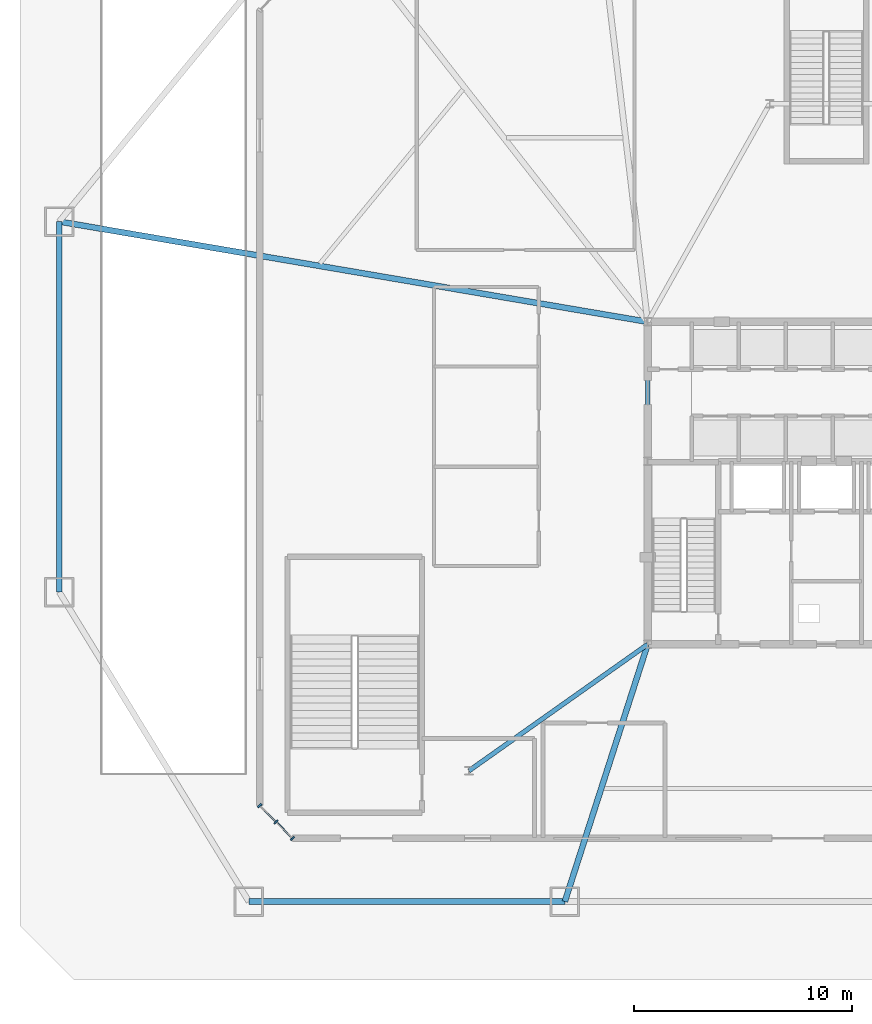
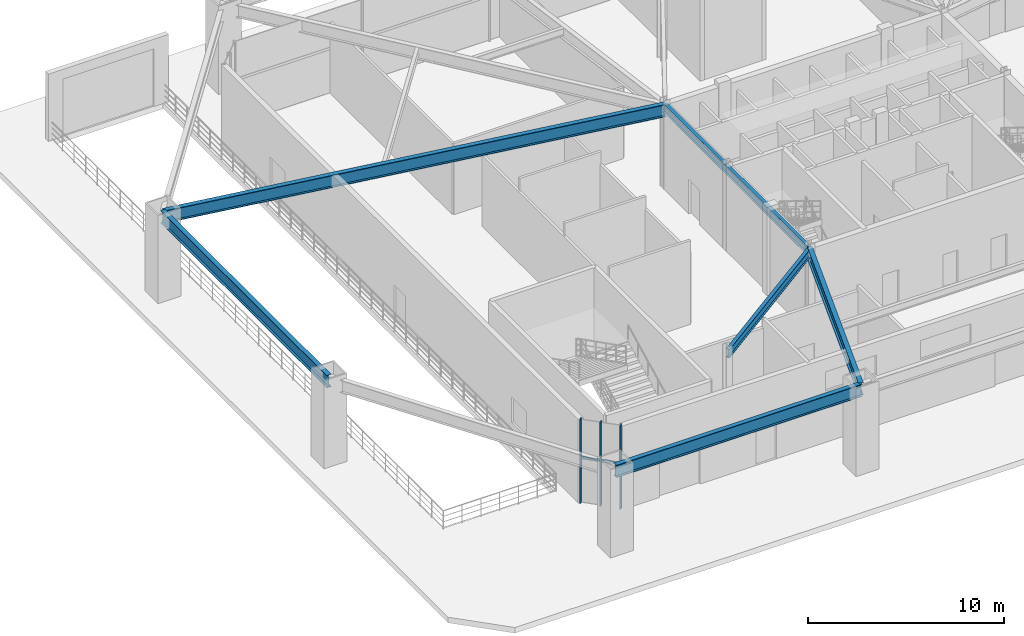
# One storey, part 5 of 20: 6 beams, 4 members, 1 element without a shape of its own.
"""IFC4 building model written with IfcOpenShell, lengths in metres."""

from ifc_helpers import new_model, si_unit, direction, frame, origin, origin_2d, place, context, subcontext, project, spatial, rectangle, i_section, extrude, source, transform, mapped, material, layer, layer_set, material_profile, profile_set, type_object, type_shapes, element, aggregate, save


model = new_model("IFC4")

# Units and contexts
model_context = context("Model", 3, precision=1e-05, world=origin(), true_north=direction((0.0, 1.0)))
body_context = subcontext(model_context, "Body", "Model", "MODEL_VIEW")
ifc_project = project(units=[si_unit("LENGTHUNIT", "METRE"), si_unit("AREAUNIT", "SQUARE_METRE"), si_unit("VOLUMEUNIT", "CUBIC_METRE"), si_unit("PLANEANGLEUNIT", "RADIAN"), si_unit("MASSUNIT", "GRAM", prefix="KILO")], contexts=[model_context])

# Site, building, storey
site_placement = place(None, origin())
site = spatial("IfcSite", under=ifc_project, at=site_placement, CompositionType="ELEMENT")
building_placement = place(site_placement, origin())
building = spatial("IfcBuilding", under=site, at=building_placement, Name="Varakhsha Concourse Tower", CompositionType="ELEMENT")
storey_placement = place(building_placement, origin())
storey = spatial("IfcBuildingStorey", under=building, at=storey_placement, Name="L01", CompositionType="ELEMENT", Elevation=0.0)

# Beams
ifc_material_1 = material(Name="Structural Steel ASTM A992 Grade 50", Category="steel")
ifc_material_profile_1 = material_profile(ifc_material_1, i_section(OverallWidth=0.26611328125, OverallDepth=0.779052734375, WebThickness=0.01708984375, FlangeThickness=0.030029296875, at=origin_2d()), Name="W30X148")
ifc_profile_set_1 = profile_set([ifc_material_profile_1], Name="Structural Steel ASTM A992 Grade 50")
beam_type_1 = type_object("IfcBeamType", Name="BM-BASE-W30X148", PredefinedType="USERDEFINED", material=ifc_profile_set_1)
beam_1_placement = place(storey_placement, frame((13.5, 4.60009765625, 4.83056640625), z_axis=(1.0, 0.0, 0.0), x_axis=(0.0, 1.0, 0.0)))
element("IfcBeam", 1, at=beam_1_placement, inside=storey, type_object=beam_type_1, Name="BM-PRING-L01-01", ObjectType="GIRDER", PredefinedType="USERDEFINED", context=body_context, shape_type="SweptSolid", body=[
    extrude(i_section(OverallWidth=0.26611328125, OverallDepth=0.779052734375, WebThickness=0.01708984375, FlangeThickness=0.030029296875, at=origin_2d()), origin(), (0.0, 0.0, 1.0), 14.5),
])
beam_2_placement = place(storey_placement, frame((4.800048828125, 35.800048828125, 4.83056640625), z_axis=(0.0, -1.0, 0.0), x_axis=(1.0, 0.0, 0.0)))
element("IfcBeam", 2, at=beam_2_placement, inside=storey, type_object=beam_type_1, Name="BM-PRING-L01-11", ObjectType="GIRDER", PredefinedType="USERDEFINED", context=body_context, shape_type="SweptSolid", body=[
    extrude(i_section(OverallWidth=0.26611328125, OverallDepth=0.779052734375, WebThickness=0.01708984375, FlangeThickness=0.030029296875, at=origin_2d()), origin(), (0.0, 0.0, 1.0), 17.0),
])
beam_3_placement = place(storey_placement, frame((31.800048828125, 16.39990234375, 4.83056640625), z_axis=(-0.306539531823, -0.951857928175, 0.0), x_axis=(0.951857928175, -0.306539531823, 0.0)))
element("IfcBeam", 3, at=beam_3_placement, inside=storey, type_object=beam_type_1, Name="BM-PRAD-L01-02", ObjectType="GIRDER", PredefinedType="USERDEFINED", context=body_context, shape_type="SweptSolid", body=[
    extrude(i_section(OverallWidth=0.26611328125, OverallDepth=0.779052734375, WebThickness=0.01708984375, FlangeThickness=0.030029296875, at=origin_2d()), origin(), (0.0, 0.0, 1.0), 12.396484375),
])
beam_4_placement = place(storey_placement, frame((31.800048828125, 31.199951171875, 4.83056640625), z_axis=(-0.985794867271, 0.167953802166, 0.0), x_axis=(-0.167953802166, -0.985794867271, 0.0)))
element("IfcBeam", 4, at=beam_4_placement, inside=storey, type_object=beam_type_1, Name="BM-PRAD-L01-11", ObjectType="GIRDER", PredefinedType="USERDEFINED", context=body_context, shape_type="SweptSolid", body=[
    extrude(i_section(OverallWidth=0.26611328125, OverallDepth=0.779052734375, WebThickness=0.01708984375, FlangeThickness=0.030029296875, at=origin_2d()), origin(), (0.0, 0.0, 1.0), 27.38916015625),
])
ifc_material_profile_2 = material_profile(ifc_material_1, i_section(OverallWidth=0.2109375, OverallDepth=0.5390625, WebThickness=0.011962890625, FlangeThickness=0.01904296875, at=origin_2d()), Name="W21X73")
ifc_profile_set_2 = profile_set([ifc_material_profile_2], Name="Structural Steel ASTM A992 Grade 50")
beam_type_2 = type_object("IfcBeamType", Name="BM-RAD-W21X73", PredefinedType="BEAM", material=ifc_profile_set_2)
beam_5_placement = place(storey_placement, frame((31.800048828125, 16.39990234375, 4.950439453125), z_axis=(0.0, 1.0, 0.0), x_axis=(-1.0, 0.0, 0.0)))
element("IfcBeam", 5, at=beam_5_placement, inside=storey, type_object=beam_type_2, Name="BM-CORE-L01-CW", PredefinedType="BEAM", context=body_context, shape_type="SweptSolid", body=[
    extrude(i_section(OverallWidth=0.2109375, OverallDepth=0.5390625, WebThickness=0.011962890625, FlangeThickness=0.01904296875, at=origin_2d()), origin(), (0.0, 0.0, 1.0), 14.800048828125),
])
beam_6_placement = place(storey_placement, frame((31.800048828125, 16.39990234375, 4.950439453125), z_axis=(-0.816423186202, -0.577454051014, 0.0), x_axis=(0.577454051014, -0.816423186202, 0.0)))
element("IfcBeam", 6, at=beam_6_placement, inside=storey, type_object=beam_type_2, Name="BM-CORE-L01-SSW", PredefinedType="BEAM", context=body_context, shape_type="SweptSolid", body=[
    extrude(i_section(OverallWidth=0.2109375, OverallDepth=0.5390625, WebThickness=0.011962890625, FlangeThickness=0.01904296875, at=origin_2d()), origin(), (0.0, 0.0, 1.0), 10.043701171875),
])

# Curtain wall, members
ifc_material_2 = material(Name="Anodised Bronze Architectural Aluminium AA 6063-T6", Category="aluminium")
ifc_layer = layer(ifc_material_2, 0.239990234375, Name="CW-SYS-01")
ifc_layer_set = layer_set([ifc_layer], Name="Anodised Bronze Architectural Aluminium AA 6063-T6")
curtain_wall_type = type_object("IfcCurtainWallType", Name="CW-SYS-01", PredefinedType="NOTDEFINED", material=ifc_layer_set)
curtain_wall_placement = place(storey_placement, origin())
curtain_wall = element("IfcCurtainWall", 7, at=curtain_wall_placement, inside=storey, type_object=curtain_wall_type, Name="L01 Concourse Curtain Wall 08", PredefinedType="NOTDEFINED")
ifc_material_profile_3 = material_profile(ifc_material_2, rectangle(XDim=0.074951171875, YDim=0.219970703125, at=origin_2d()), Name="CWM-220X75")
ifc_profile_set_3 = profile_set([ifc_material_profile_3], Name="Anodised Bronze Architectural Aluminium AA 6063-T6")
member_type_1 = type_object("IfcMemberType", Name="CWM-220X75", PredefinedType="MULLION", material=ifc_profile_set_3)
shared_shape_1 = source(origin(), body_context, "Body", "SweptSolid", [
    extrude(rectangle(XDim=0.074951171875, YDim=0.219970703125, at=origin_2d()), origin(), (0.0, 0.0, 1.0), 5.219970703125),
])
type_shapes(member_type_1, [shared_shape_1])
member_1_placement = place(storey_placement, frame((14.0, 9.0, 0.0), z_axis=(0.0, 0.0, 1.0), x_axis=(0.707106781187, -0.707106781187, 0.0)))
member_1 = element("IfcMember", 8, at=member_1_placement, type_object=member_type_1, Name="CW-L01-08 Mullion 00", PredefinedType="MULLION", context=body_context, shape_type="MappedRepresentation", body=[
    mapped(shared_shape_1, transform((0.0, 0.0, 0.0), scale=1.0)),
])
member_2_placement = place(storey_placement, frame((14.75, 8.25, 0.0), z_axis=(0.0, 0.0, 1.0), x_axis=(0.707106781187, -0.707106781187, 0.0)))
member_2 = element("IfcMember", 9, at=member_2_placement, type_object=member_type_1, Name="CW-L01-08 Mullion 01", PredefinedType="MULLION", context=body_context, shape_type="MappedRepresentation", body=[
    mapped(shared_shape_1, transform((0.0, 0.0, 0.0), scale=1.0)),
])
member_3_placement = place(storey_placement, frame((15.5, 7.5, 0.0), z_axis=(0.0, 0.0, 1.0), x_axis=(0.707106781187, -0.707106781187, 0.0)))
member_3 = element("IfcMember", 10, at=member_3_placement, type_object=member_type_1, Name="CW-L01-08 Mullion 02", PredefinedType="MULLION", context=body_context, shape_type="MappedRepresentation", body=[
    mapped(shared_shape_1, transform((0.0, 0.0, 0.0), scale=1.0)),
])
ifc_material_profile_4 = material_profile(ifc_material_2, rectangle(XDim=0.06494140625, YDim=0.159912109375, at=origin_2d()), Name="CWT-160X65")
ifc_profile_set_4 = profile_set([ifc_material_profile_4], Name="Anodised Bronze Architectural Aluminium AA 6063-T6")
member_type_2 = type_object("IfcMemberType", Name="CWT-160X65", PredefinedType="USERDEFINED", material=ifc_profile_set_4)
shared_shape_2 = source(origin(), body_context, "Body", "SweptSolid", [
    extrude(rectangle(XDim=0.06494140625, YDim=0.159912109375, at=origin_2d()), origin(), (0.0, 0.0, 1.0), 2.121337890625),
])
type_shapes(member_type_2, [shared_shape_2])
member_4_placement = place(storey_placement, frame((14.0, 9.0, 2.800048828125), z_axis=(0.707106781187, -0.707106781187, 0.0), x_axis=(0.707106781187, 0.707106781187, 0.0)))
member_4 = element("IfcMember", 11, at=member_4_placement, type_object=member_type_2, Name="CW-L01-08 Transom 01", ObjectType="TRANSOM", PredefinedType="USERDEFINED", context=body_context, shape_type="MappedRepresentation", body=[
    mapped(shared_shape_2, transform((0.0, 0.0, 0.0), scale=1.0)),
])
aggregate(curtain_wall, [member_1, member_2, member_3, member_4])

save(model, "model.ifc")
